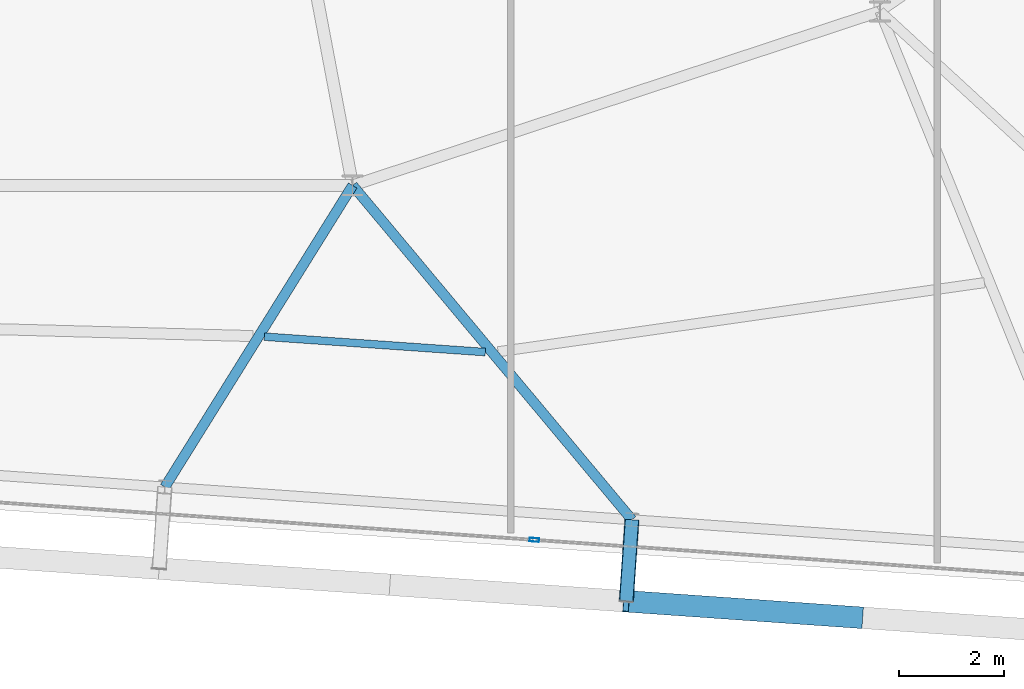
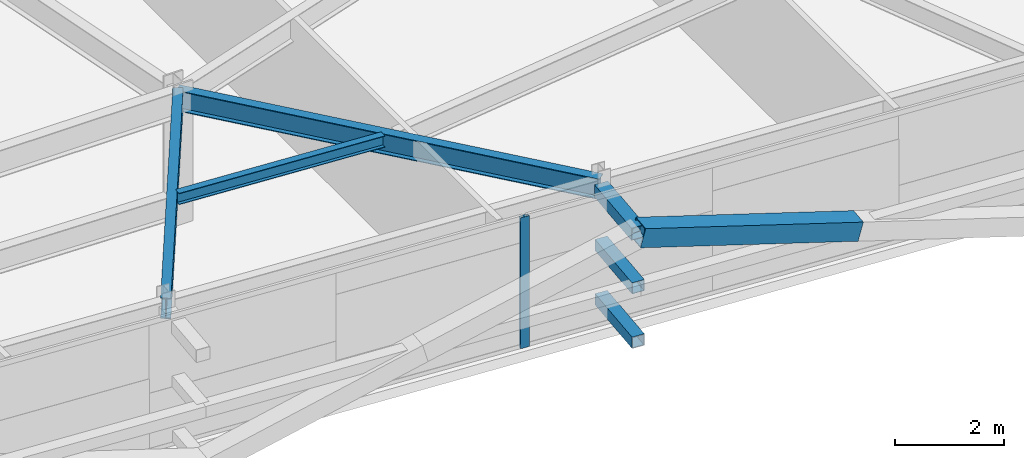
# One storey, part 13 of 39: 5 members, 3 beams, 1 element without a shape of its own.
"""IFC4 building model written with IfcOpenShell, lengths in metres."""

import ifcopenshell
import ifcopenshell.guid

model = None  # the IFC model being written
_history = None  # IfcOwnerHistory: only IFC2X3 demands one
_inside = {}  # id of a spatial element -> (the spatial element, [elements in it])
_under = {}  # id of a project, library or spatial element -> (it, [spatial elements below it])
_declared = {}  # id of a project -> (the project, [libraries it declares])
_typed = {}  # id of a type object -> (the type object, [elements of that type])
_made_of = {}  # id of a material, layer set ... -> (it, [elements and type objects made of it])


def new_model(schema):
    """Start an empty IFC model of exactly this schema.

    Asked for "IFC4X3", IfcOpenShell would pick the latest addendum, in which some entities
    have other attributes; the version numbers below select the first issue.
    IFC2X3 requires an IfcOwnerHistory on every rooted entity: one is made here for all.
    """
    global model, _history
    if schema == "IFC4X3":
        model = ifcopenshell.file(schema_version=(4, 3, 0, 0))
    else:
        model = ifcopenshell.file(schema=schema)
    _inside.clear()
    _under.clear()
    _declared.clear()
    _typed.clear()
    _made_of.clear()
    _history = None
    if model.schema == "IFC2X3":
        org = make("IfcOrganization", Name="unknown")
        user = make(
            "IfcPersonAndOrganization",
            ThePerson=make("IfcPerson", FamilyName="unknown"),
            TheOrganization=org,
        )
        app = make(
            "IfcApplication",
            ApplicationDeveloper=org,
            Version="unknown",
            ApplicationFullName="unknown",
            ApplicationIdentifier="unknown",
        )
        _history = make(
            "IfcOwnerHistory",
            OwningUser=user,
            OwningApplication=app,
            ChangeAction="ADDED",
            CreationDate=0,
        )
    return model


def make(cls, **values):
    """One entity of the class cls with the attributes given. An attribute that is None is left unset."""
    return model.create_entity(
        cls, **{name: value for name, value in values.items() if value is not None}
    )


def rooted(cls, **values):
    """An entity with a GlobalId (a new one), such as an element, a storey or a relation."""
    return make(cls, GlobalId=ifcopenshell.guid.new(), OwnerHistory=_history, **values)


def si_unit(unit_type, name, prefix=None):
    """IfcSIUnit, for example si_unit("LENGTHUNIT", "METRE", prefix="MILLI")."""
    return make("IfcSIUnit", UnitType=unit_type, Prefix=prefix, Name=name)


def assignment(units):
    """IfcUnitAssignment: the units of a project."""
    return None if units is None else make("IfcUnitAssignment", Units=units)


def point(xyz):
    """IfcCartesianPoint."""
    return None if xyz is None else make("IfcCartesianPoint", Coordinates=xyz)


def direction(xyz):
    """IfcDirection."""
    return None if xyz is None else make("IfcDirection", DirectionRatios=xyz)


def frame(location, z_axis=None, x_axis=None):
    """IfcAxis2Placement3D, a coordinate frame: its origin and axes. An axis left out is left unset."""
    return make(
        "IfcAxis2Placement3D",
        Location=point(location),
        Axis=direction(z_axis),
        RefDirection=direction(x_axis),
    )


def frame_2d(location, x_axis=None):
    """IfcAxis2Placement2D, a coordinate frame in the plane: its origin and x axis."""
    return make(
        "IfcAxis2Placement2D", Location=point(location), RefDirection=direction(x_axis)
    )


def origin():
    """The frame at (0, 0, 0) with its axes left unset."""
    return frame((0.0, 0.0, 0.0))


def origin_2d():
    """The frame at (0, 0) in the plane with its x axis left unset."""
    return frame_2d((0.0, 0.0))


def place(relative_to, where):
    """IfcLocalPlacement: puts the frame where relative to a parent placement (None: the world)."""
    return make(
        "IfcLocalPlacement", PlacementRelTo=relative_to, RelativePlacement=where
    )


def context(
    kind, dimensions, precision=None, world=None, true_north=None, identifier=None
):
    """IfcGeometricRepresentationContext, for example the 3D "Model" context."""
    return make(
        "IfcGeometricRepresentationContext",
        ContextIdentifier=identifier,
        ContextType=kind,
        CoordinateSpaceDimension=dimensions,
        Precision=precision,
        WorldCoordinateSystem=world,
        TrueNorth=true_north,
    )


def subcontext(parent, identifier, kind, view, scale=None):
    """IfcGeometricRepresentationSubContext, for example "Body" below "Model"."""
    return make(
        "IfcGeometricRepresentationSubContext",
        ContextIdentifier=identifier,
        ContextType=kind,
        ParentContext=parent,
        TargetScale=scale,
        TargetView=view,
    )


def project(units=None, contexts=None):
    """IfcProject with its units and contexts."""
    return rooted(
        "IfcProject",
        Name="project",
        RepresentationContexts=contexts,
        UnitsInContext=assignment(units),
    )


def spatial(cls, under=None, at=None, **own):
    """A site, building, storey or space (cls), placed at a placement, below another one or the project."""
    s = rooted(cls, ObjectPlacement=at, **own)
    if under is not None:
        _under.setdefault(under.id(), (under, []))[1].append(s)
    return s


def profile(cls, at=None, kind="AREA", **sizes):
    """A parametric profile (cls). Its sizes go by their IFC names, for example OverallWidth=200.0."""
    return make(cls, ProfileType=kind, Position=at, **sizes)


def hollow_rectangle(**sizes):
    """IfcRectangleHollowProfileDef."""
    return profile("IfcRectangleHollowProfileDef", **sizes)


def i_section(**sizes):
    """IfcIShapeProfileDef."""
    return profile("IfcIShapeProfileDef", **sizes)


def extrude(swept, where, along, depth):
    """IfcExtrudedAreaSolid: the profile swept, set in the frame where, extruded along a direction by depth."""
    return make(
        "IfcExtrudedAreaSolid",
        SweptArea=swept,
        Position=where,
        ExtrudedDirection=direction(along),
        Depth=depth,
    )


def shape(context_of_items, identifier, shape_type, items):
    """IfcShapeRepresentation: the items that make up one representation, for example the "Body"."""
    return make(
        "IfcShapeRepresentation",
        ContextOfItems=context_of_items,
        RepresentationIdentifier=identifier,
        RepresentationType=shape_type,
        Items=items,
    )


def source(mapping_origin, context_of_items, identifier, shape_type, items):
    """IfcRepresentationMap: a shape defined once, which mapped items show again and again."""
    return make(
        "IfcRepresentationMap",
        MappingOrigin=mapping_origin,
        MappedRepresentation=shape(context_of_items, identifier, shape_type, items),
    )


def transform(
    local_origin,
    x_axis=None,
    y_axis=None,
    z_axis=None,
    scale=None,
    scale2=None,
    scale3=None,
    uniform=True,
):
    """IfcCartesianTransformationOperator3D, or its non-uniform kind. x_axis, y_axis, z_axis: its Axis1, 2, 3."""
    if uniform:
        return make(
            "IfcCartesianTransformationOperator3D",
            Axis1=direction(x_axis),
            Axis2=direction(y_axis),
            LocalOrigin=point(local_origin),
            Scale=scale,
            Axis3=direction(z_axis),
        )
    return make(
        "IfcCartesianTransformationOperator3DnonUniform",
        Axis1=direction(x_axis),
        Axis2=direction(y_axis),
        LocalOrigin=point(local_origin),
        Scale=scale,
        Axis3=direction(z_axis),
        Scale2=scale2,
        Scale3=scale3,
    )


def mapped(mapping_source, mapping_target):
    """IfcMappedItem: shows the shape of a source again, moved by a transform."""
    return make(
        "IfcMappedItem", MappingSource=mapping_source, MappingTarget=mapping_target
    )


def material(Name=None, Category=None):
    """IfcMaterial."""
    return make("IfcMaterial", Name=Name, Category=Category)


def layer(
    of_material, thickness, ventilated=None, Name=None, Category=None, Priority=None
):
    """IfcMaterialLayer: one layer of a wall or slab, of a material (None: an air gap)."""
    return make(
        "IfcMaterialLayer",
        Material=of_material,
        LayerThickness=thickness,
        IsVentilated=ventilated,
        Name=Name,
        Category=Category,
        Priority=Priority,
    )


def layer_set(layers, Name=None):
    """IfcMaterialLayerSet."""
    return make("IfcMaterialLayerSet", MaterialLayers=layers, LayerSetName=Name)


def material_profile(
    of_material, cross_section, Name=None, Category=None, Priority=None
):
    """IfcMaterialProfile: a cross section and its material."""
    return make(
        "IfcMaterialProfile",
        Name=Name,
        Material=of_material,
        Profile=cross_section,
        Priority=Priority,
        Category=Category,
    )


def profile_set(profiles, Name=None, composite=None):
    """IfcMaterialProfileSet."""
    return make(
        "IfcMaterialProfileSet",
        Name=Name,
        MaterialProfiles=profiles,
        CompositeProfile=composite,
    )


def made_of(thing, what):
    """Note that an element or type object is made of a material, layer set ...; save() writes the relation."""
    if what is not None:
        _made_of.setdefault(what.id(), (what, []))[1].append(thing)
    return thing


def type_object(cls, material=None, **own):
    """A type object (cls), such as IfcWallType, which elements share."""
    return made_of(rooted(cls, **own), material)


def element(
    cls,
    number,
    at=None,
    inside=None,
    cuts=None,
    type_object=None,
    material=None,
    context=None,
    identifier="Body",
    shape_type=None,
    held_by="IfcProductDefinitionShape",
    body=None,
    shapes=None,
    **own,
):
    """One element of the class cls, such as IfcWall. Its Tag is "e" and its number.

    at: its placement. inside: the storey or other place that contains it. cuts: it is an
    opening in that element (IfcRelVoidsElement). A single representation is given by context,
    identifier, shape_type and body (its items); several are given by shapes. held_by: the class
    of the entity that holds the representations. save() writes the other relations.
    """
    e = rooted(cls, Tag="e%d" % number, ObjectPlacement=at, **own)
    if body is not None:
        shapes = [shape(context, identifier, shape_type, body)]
    if shapes is not None:
        e.Representation = make(held_by, Representations=shapes)
    if inside is not None:
        _inside.setdefault(inside.id(), (inside, []))[1].append(e)
    if cuts is not None:
        rooted(
            "IfcRelVoidsElement", RelatingBuildingElement=cuts, RelatedOpeningElement=e
        )
    if type_object is not None:
        _typed.setdefault(type_object.id(), (type_object, []))[1].append(e)
    return made_of(e, material)


def aggregate(whole, parts):
    """IfcRelAggregates: a whole, such as a stair, and the parts it consists of."""
    return rooted("IfcRelAggregates", RelatingObject=whole, RelatedObjects=parts)


def save(model, path):
    """Write the relations noted so far, then the file.

    IfcRelAggregates (storeys below a building ...), IfcRelContainedInSpatialStructure (elements
    in a storey), IfcRelDefinesByType, IfcRelAssociatesMaterial and IfcRelDeclares: one each for
    every whole, place, type object, material and project.
    """
    for whole, parts in _under.values():
        aggregate(whole, parts)
    for where, things in _inside.values():
        rooted(
            "IfcRelContainedInSpatialStructure",
            RelatedElements=things,
            RelatingStructure=where,
        )
    for kind, things in _typed.values():
        rooted("IfcRelDefinesByType", RelatedObjects=things, RelatingType=kind)
    for what, things in _made_of.values():
        rooted("IfcRelAssociatesMaterial", RelatedObjects=things, RelatingMaterial=what)
    for by, libraries in _declared.values():
        rooted("IfcRelDeclares", RelatingContext=by, RelatedDefinitions=libraries)
    model.write(path)


model = new_model("IFC4")

# Units and contexts
model_context = context("Model", 3, precision=1e-05, world=origin(), true_north=direction((0.0, 1.0)))
body_context = subcontext(model_context, "Body", "Model", "MODEL_VIEW")
ifc_project = project(units=[si_unit("LENGTHUNIT", "METRE"), si_unit("AREAUNIT", "SQUARE_METRE"), si_unit("VOLUMEUNIT", "CUBIC_METRE"), si_unit("PLANEANGLEUNIT", "RADIAN"), si_unit("MASSUNIT", "GRAM", prefix="KILO")], contexts=[model_context])

# Site, building, storey
site_placement = place(None, origin())
site = spatial("IfcSite", under=ifc_project, at=site_placement, CompositionType="ELEMENT")
building_placement = place(site_placement, origin())
building = spatial("IfcBuilding", under=site, at=building_placement, Name="Taldren Reach Tower", CompositionType="ELEMENT")
storey_placement = place(building_placement, frame((0.0, 0.0, 148.75)))
storey = spatial("IfcBuildingStorey", under=building, at=storey_placement, Name="L45", CompositionType="ELEMENT", Elevation=148.75)

# Members
ifc_material_1 = material(Name="Steel Gr 450 (C450L0)", Category="steel")
ifc_material_profile_1 = material_profile(ifc_material_1, hollow_rectangle(XDim=0.27490234375, YDim=0.27490234375, WallThickness=0.00927734375, at=origin_2d()), Name="275x275x9.3SHS")
ifc_profile_set_1 = profile_set([ifc_material_profile_1], Name="Steel Gr 450 (C450L0)")
member_type_1 = type_object("IfcMemberType", Name="MB-TIE273", PredefinedType="STRUT", material=ifc_profile_set_1)
shared_shape_1 = source(origin(), body_context, "Body", "SweptSolid", [
    extrude(hollow_rectangle(XDim=0.27490234375, YDim=0.27490234375, WallThickness=0.00927734375, at=origin_2d()), origin(), (0.0, 0.0, 1.0), 1.5498046875),
])
member_1_placement = place(storey_placement, frame((47.297119140625, 2.860595703125, 2.64990234375), z_axis=(-0.069780535098, -0.997562367434, 0.0), x_axis=(0.997562367434, -0.069780535098, 0.0)))
element("IfcMember", 1, at=member_1_placement, inside=storey, type_object=member_type_1, Name="Exoskeleton diaphragm tie strut B3-S5 L45", PredefinedType="STRUT", context=body_context, shape_type="MappedRepresentation", body=[
    mapped(shared_shape_1, transform((0.0, 0.0, 0.0), scale=1.0)),
])
ifc_material_2 = material(Name="Steel Gr 350 (C350L0)", Category="steel")
ifc_material_profile_2 = material_profile(ifc_material_2, hollow_rectangle(XDim=0.25, YDim=0.25, WallThickness=0.010009765625, at=origin_2d()), Name="250x250x10.0SHS")
ifc_profile_set_2 = profile_set([ifc_material_profile_2], Name="Steel Gr 350 (C350L0)")
member_type_2 = type_object("IfcMemberType", Name="MB-POST250", PredefinedType="POST", material=ifc_profile_set_2)
shared_shape_2 = source(origin(), body_context, "Body", "SweptSolid", [
    extrude(hollow_rectangle(XDim=0.25, YDim=0.25, WallThickness=0.010009765625, at=origin_2d()), origin(), (0.0, 0.0, 1.0), 1.5498046875),
])
for number, where, z_axis, x_axis, name in (
    (2, (47.297119140625, 2.860595703125, 0.219970703125), (-0.069780535098, -0.997562367434, 0.0), (0.997562367434, -0.069780535098, 0.0), "Exoskeleton base diaphragm tie strut B3-S5 L45"),
    (3, (47.297119140625, 2.860595703125, 1.43505859375), (-0.069780535098, -0.997562367434, 0.0), (0.997562367434, -0.069780535098, 0.0), "Exoskeleton mid-tier diaphragm tie B3-S5 L45"),
):
    element("IfcMember", number, at=place(storey_placement, frame(where, z_axis=z_axis, x_axis=x_axis)), inside=storey, type_object=member_type_2, Name=name, PredefinedType="POST", context=body_context, shape_type="MappedRepresentation", body=[
        mapped(shared_shape_2, transform((0.0, 0.0, 0.0), scale=1.0)),
    ])

# Beams
ifc_material_3 = material(Name="Steel Gr 350 (350PLUS)", Category="steel")
ifc_material_profile_3 = material_profile(ifc_material_3, i_section(OverallWidth=0.19091796875, OverallDepth=0.4599609375, WebThickness=0.010009765625, FlangeThickness=0.01611328125, at=origin_2d()), Name="460UB82.1")
ifc_profile_set_3 = profile_set([ifc_material_profile_3], Name="Steel Gr 350 (350PLUS)")
beam_type_1 = type_object("IfcBeamType", Name="BM-UB460A", PredefinedType="BEAM", material=ifc_profile_set_3)
shared_shape_3 = source(origin(), body_context, "Body", "SweptSolid", [
    extrude(i_section(OverallWidth=0.19091796875, OverallDepth=0.4599609375, WebThickness=0.010009765625, FlangeThickness=0.01611328125, at=origin_2d()), origin(), (0.0, 0.0, 1.0), 6.73779296875),
])
beam_1_placement = place(storey_placement, frame((42.0, 9.199951171875, 2.699951171875), z_axis=(-0.528552048024, -0.848900896765, 0.0), x_axis=(0.848900896765, -0.528552048024, 0.0)))
element("IfcBeam", 4, at=beam_1_placement, inside=storey, type_object=beam_type_1, Name="Primary floor girder B3-S4 L45", PredefinedType="BEAM", context=body_context, shape_type="MappedRepresentation", body=[
    mapped(shared_shape_3, transform((0.0, 0.0, 0.0), scale=1.0)),
])
shared_shape_4 = source(origin(), body_context, "Body", "SweptSolid", [
    extrude(i_section(OverallWidth=0.19091796875, OverallDepth=0.4599609375, WebThickness=0.010009765625, FlangeThickness=0.01611328125, at=origin_2d()), origin(), (0.0, 0.0, 1.0), 8.26123046875),
])
beam_2_placement = place(storey_placement, frame((42.0, 9.199951171875, 2.699951171875), z_axis=(0.64120703686, -0.767367927322, 0.0), x_axis=(0.767367927322, 0.64120703686, 0.0)))
element("IfcBeam", 5, at=beam_2_placement, inside=storey, type_object=beam_type_1, Name="Primary floor girder B3-S5 L45", PredefinedType="BEAM", context=body_context, shape_type="MappedRepresentation", body=[
    mapped(shared_shape_4, transform((0.0, 0.0, 0.0), scale=1.0)),
])
ifc_material_4 = material(Name="Steel Gr 300 (300PLUS, 300 MPa)", Category="steel")
ifc_material_profile_4 = material_profile(ifc_material_4, i_section(OverallWidth=0.14599609375, OverallDepth=0.256103515625, WebThickness=0.00634765625, FlangeThickness=0.010986328125, at=origin_2d()), Name="250UB37.3")
ifc_profile_set_4 = profile_set([ifc_material_profile_4], Name="Steel Gr 300 (300PLUS, 300 MPa)")
beam_type_2 = type_object("IfcBeamType", Name="JS-UB250", PredefinedType="JOIST", material=ifc_profile_set_4)
shared_shape_5 = source(origin(), body_context, "Body", "SweptSolid", [
    extrude(i_section(OverallWidth=0.14599609375, OverallDepth=0.256103515625, WebThickness=0.00634765625, FlangeThickness=0.010986328125, at=origin_2d()), origin(), (0.0, 0.0, 1.0), 4.199462890625),
])
beam_3_placement = place(storey_placement, frame((40.3271484375, 6.33251953125, 2.802001953125), z_axis=(0.99756354117, -0.069763753681, 0.0), x_axis=(0.069763753681, 0.99756354117, 0.0)))
element("IfcBeam", 6, at=beam_3_placement, inside=storey, type_object=beam_type_2, Name="Secondary floor joist B3 J4 L45", PredefinedType="JOIST", context=body_context, shape_type="MappedRepresentation", body=[
    mapped(shared_shape_5, transform((0.0, 0.0, 0.0), scale=1.0)),
])

# Member
ifc_material_profile_5 = material_profile(ifc_material_1, hollow_rectangle(XDim=0.409912109375, YDim=0.409912109375, WallThickness=0.01611328125, at=origin_2d()), Name="410x410x16.0SHS")
ifc_profile_set_5 = profile_set([ifc_material_profile_5], Name="Steel Gr 450 (C450L0)")
member_type_3 = type_object("IfcMemberType", Name="MB-EXO406", PredefinedType="BRACE", material=ifc_profile_set_5)
shared_shape_6 = source(origin(), body_context, "Body", "SweptSolid", [
    extrude(hollow_rectangle(XDim=0.409912109375, YDim=0.409912109375, WallThickness=0.01611328125, at=origin_2d()), origin(), (0.0, 0.0, 1.0), 4.603271484375),
])
member_2_placement = place(storey_placement, frame((51.6181640625, 1.004638671875, 1.43505859375), z_axis=(-0.962195820062, 0.067303852699, 0.263911718699), x_axis=(-0.06977769246, -0.997562566276, 0.0)))
element("IfcMember", 7, at=member_2_placement, inside=storey, type_object=member_type_3, Name="Exoskeleton Diagrid Brace B3-S5 L45", PredefinedType="BRACE", context=body_context, shape_type="MappedRepresentation", body=[
    mapped(shared_shape_6, transform((0.0, 0.0, 0.0), scale=1.0)),
])

# Curtain wall, member
ifc_material_5 = material(Name="Aluminium and Low-E Glass Unitised System", Category="aluminium")
ifc_layer = layer(ifc_material_5, 0.159912109375)
ifc_layer_set = layer_set([ifc_layer], Name="Aluminium and Low-E Glass Unitised System")
curtain_wall_type = type_object("IfcCurtainWallType", Name="CW-SYS-4", PredefinedType="NOTDEFINED", material=ifc_layer_set)
curtain_wall_placement = place(storey_placement, origin())
curtain_wall = element("IfcCurtainWall", 8, at=curtain_wall_placement, inside=storey, type_object=curtain_wall_type, Name="Unitised curtain wall CW-L45-S", PredefinedType="NOTDEFINED")
ifc_material_6 = material(Name="Anodised Aluminium 6063-T6", Category="aluminium")
ifc_material_profile_6 = material_profile(ifc_material_6, hollow_rectangle(XDim=0.070068359375, YDim=0.179931640625, WallThickness=0.00390625, at=origin_2d()), Name="ALU-180x70x4RHS")
ifc_profile_set_6 = profile_set([ifc_material_profile_6], Name="Anodised Aluminium 6063-T6")
member_type_4 = type_object("IfcMemberType", Name="CW-MUL-180", PredefinedType="MULLION", material=ifc_profile_set_6)
shared_shape_7 = source(origin(), body_context, "Body", "SweptSolid", [
    extrude(hollow_rectangle(XDim=0.070068359375, YDim=0.179931640625, WallThickness=0.00390625, at=origin_2d()), origin(), (0.0, 0.0, 1.0), 2.929931640625),
])
member_3_placement = place(storey_placement, frame((45.44580078125, 2.478759765625, 0.0), z_axis=(0.0, 0.0, 1.0), x_axis=(0.06975651593, 0.99756404731, 0.0)))
member_3 = element("IfcMember", 9, at=member_3_placement, type_object=member_type_4, Name="CW-4 mullion 4", PredefinedType="MULLION", context=body_context, shape_type="MappedRepresentation", body=[
    mapped(shared_shape_7, transform((0.0, 0.0, 0.0), scale=1.0)),
])
aggregate(curtain_wall, [member_3])

save(model, "model.ifc")
